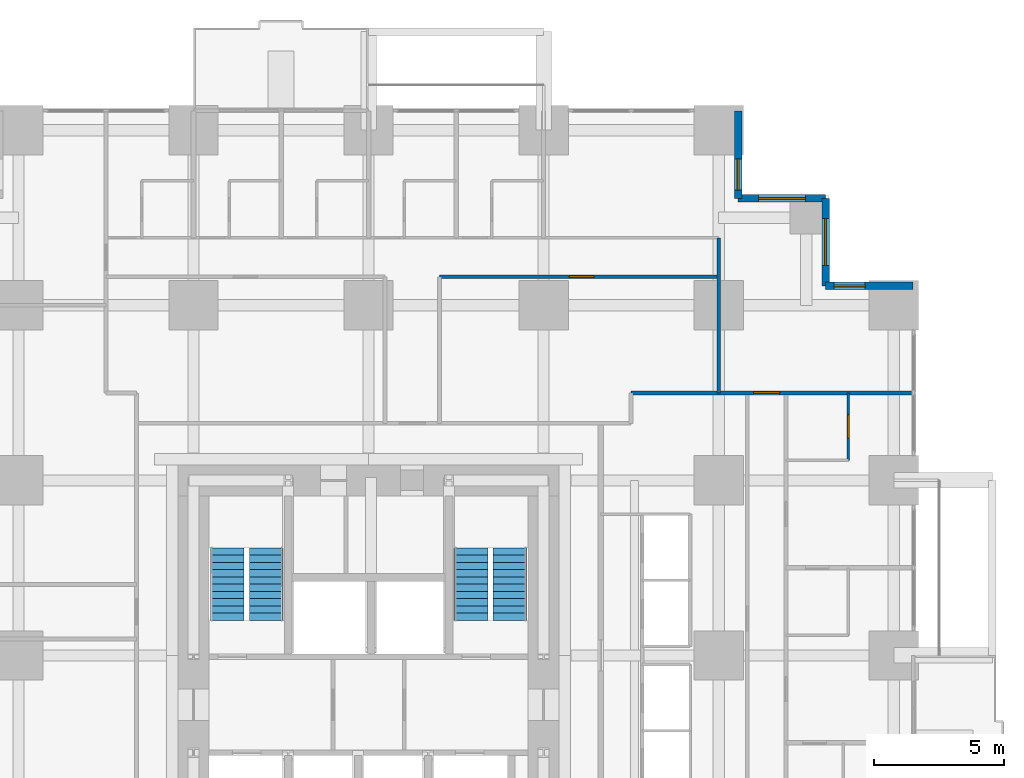
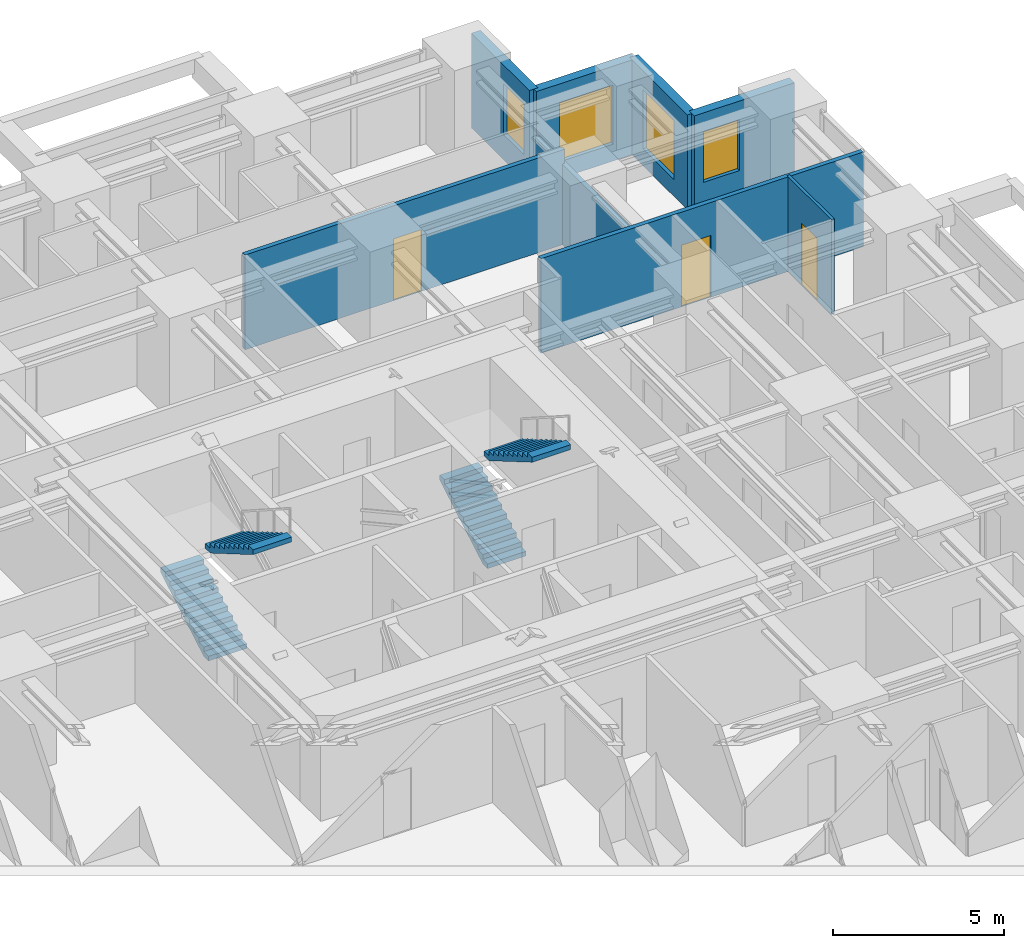
# One storey, part 13 of 14: 8 walls, 4 stair flights, 4 windows, 3 doors, 7 openings, 2 elements without a shape of their own.
"""IFC4 building model written with IfcOpenShell, lengths in metres."""

from ifc_helpers import new_model, si_unit, direction, frame, frame_2d, origin, place, context, subcontext, project, spatial, polyline, rectangle, outline, extrude, material, layer, layer_set, type_object, element, fill, aggregate, save


model = new_model("IFC4")

# Units and contexts
model_context = context("Model", 3, precision=1e-05, world=origin(), true_north=direction((0.0, 1.0)))
body_context = subcontext(model_context, "Body", "Model", "MODEL_VIEW")
ifc_project = project(units=[si_unit("LENGTHUNIT", "METRE"), si_unit("AREAUNIT", "SQUARE_METRE"), si_unit("VOLUMEUNIT", "CUBIC_METRE"), si_unit("PLANEANGLEUNIT", "RADIAN"), si_unit("MASSUNIT", "GRAM", prefix="KILO")], contexts=[model_context])

# Site, building, storey
site_placement = place(None, origin())
site = spatial("IfcSite", under=ifc_project, at=site_placement, CompositionType="ELEMENT")
building_placement = place(site_placement, origin())
building = spatial("IfcBuilding", under=site, at=building_placement, Name="Nyansa Garden Tower", CompositionType="ELEMENT")
storey_placement = place(building_placement, frame((0.0, 0.0, 39.60009765625)))
storey = spatial("IfcBuildingStorey", under=building, at=storey_placement, Name="L10", CompositionType="ELEMENT", Elevation=39.60009765625)

# Wall, opening, door
ifc_material_1 = material(Name="Blockwork, plastered both sides", Category="masonry")
ifc_layer_1 = layer(ifc_material_1, 0.14990234375)
ifc_layer_set_1 = layer_set([ifc_layer_1], Name="Partition PW150")
wall_type_1 = type_object("IfcWallType", Name="Partition PW150", PredefinedType="PARTITIONING", material=ifc_layer_set_1)
wall_1_placement = place(storey_placement, frame((22.987548828125, 34.85009765625, 0.0), z_axis=(0.0, 0.0, 1.0), x_axis=(1.0, 0.0, 0.0)))
wall_1 = element("IfcWall", 1, at=wall_1_placement, inside=storey, type_object=wall_type_1, Name="Partition", PredefinedType="PARTITIONING", context=body_context, shape_type="SweptSolid", body=[
    extrude(rectangle(XDim=10.762451171875, YDim=0.14990234375, at=frame_2d((5.38134765625, 0.0))), origin(), (0.0, 0.0, 1.0), 3.375),
])
opening_1_placement = place(wall_1_placement, frame((5.0, 0.0, 0.0)))
opening_1 = element("IfcOpeningElement", 2, at=opening_1_placement, cuts=wall_1, Name="Opening D01", PredefinedType="OPENING", context=body_context, shape_type="SweptSolid", body=[
    extrude(rectangle(XDim=0.949951171875, YDim=2.199951171875, at=frame_2d((0.47509765625, 1.10009765625))), frame((0.0, 0.0849609375, 0.0), z_axis=(0.0, -1.0, 0.0), x_axis=(1.0, 0.0, 0.0)), (0.0, 0.0, 1.0), 0.169921875),
])
ifc_material_2 = material(Name="Timber flush door, 30 minute fire resisting", Category="wood")
door_type_1 = type_object("IfcDoorType", Name="Bedroom door D01 950x2200", OperationType="SINGLE_SWING_LEFT", PredefinedType="DOOR", material=ifc_material_2)
door_1_placement = place(opening_1_placement, origin())
door_1 = element("IfcDoor", 3, at=door_1_placement, inside=storey, type_object=door_type_1, Name="Door L10-057", OperationType="SINGLE_SWING_LEFT", OverallHeight=2.199951171875, OverallWidth=0.949951171875, PredefinedType="DOOR", context=body_context, shape_type="SweptSolid", body=[
    extrude(rectangle(XDim=0.949951171875, YDim=2.199951171875, at=frame_2d((0.47509765625, 1.10009765625))), frame((0.0, 0.02490234375, 0.0), z_axis=(0.0, -1.0, 0.0), x_axis=(1.0, 0.0, 0.0)), (0.0, 0.0, 1.0), 0.050048828125),
])
fill(opening_1, door_1)

wall_2_placement = place(storey_placement, frame((30.375, 30.375, 0.0), z_axis=(0.0, 0.0, 1.0), x_axis=(1.0, 0.0, 0.0)))
wall_2 = element("IfcWall", 4, at=wall_2_placement, inside=storey, type_object=wall_type_1, Name="Partition", PredefinedType="PARTITIONING", context=body_context, shape_type="SweptSolid", body=[
    extrude(rectangle(XDim=10.85888671875, YDim=0.14990234375, at=frame_2d((5.429443359375, 0.0))), origin(), (0.0, 0.0, 1.0), 3.375),
])
opening_2_placement = place(wall_2_placement, frame((4.72509765625, 0.0, 0.0)))
opening_2 = element("IfcOpeningElement", 5, at=opening_2_placement, cuts=wall_2, Name="Opening D03", PredefinedType="OPENING", context=body_context, shape_type="SweptSolid", body=[
    extrude(rectangle(XDim=1.0, YDim=2.199951171875, at=frame_2d((0.5, 1.10009765625))), frame((0.0, 0.0849609375, 0.0), z_axis=(0.0, -1.0, 0.0), x_axis=(1.0, 0.0, 0.0)), (0.0, 0.0, 1.0), 0.169921875),
])
ifc_material_3 = material(Name="Timber flush door, 60 minute fire resisting", Category="wood")
door_type_2 = type_object("IfcDoorType", Name="Cluster entrance door D03 1000x2200", OperationType="SINGLE_SWING_LEFT", PredefinedType="DOOR", material=ifc_material_3)
door_2_placement = place(opening_2_placement, origin())
door_2 = element("IfcDoor", 6, at=door_2_placement, inside=storey, type_object=door_type_2, Name="Door L10-044", OperationType="SINGLE_SWING_LEFT", OverallHeight=2.199951171875, OverallWidth=1.0, PredefinedType="DOOR", context=body_context, shape_type="SweptSolid", body=[
    extrude(rectangle(XDim=1.0, YDim=2.199951171875, at=frame_2d((0.5, 1.10009765625))), frame((0.0, 0.02490234375, 0.0), z_axis=(0.0, -1.0, 0.0), x_axis=(1.0, 0.0, 0.0)), (0.0, 0.0, 1.0), 0.050048828125),
])
fill(opening_2, door_2)

# Wall
wall_3_placement = place(storey_placement, frame((33.75, 30.375, 0.0), z_axis=(0.0, 0.0, 1.0), x_axis=(0.0, 1.0, 0.0)))
element("IfcWall", 7, at=wall_3_placement, inside=storey, type_object=wall_type_1, Name="Partition", PredefinedType="PARTITIONING", context=body_context, shape_type="SweptSolid", body=[
    extrude(rectangle(XDim=5.97509765625, YDim=0.14990234375, at=frame_2d((2.987548828125, 0.0))), origin(), (0.0, 0.0, 1.0), 2.876953125),
])

# Wall, opening, window
ifc_material_4 = material(Name="Turquoise glazed tile on concrete blockwork", Category="masonry")
ifc_layer_2 = layer(ifc_material_4, 0.300048828125)
ifc_layer_set_2 = layer_set([ifc_layer_2], Name="Tiled corner wall TW300")
wall_type_2 = type_object("IfcWallType", Name="Tiled corner wall TW300", PredefinedType="SOLIDWALL", material=ifc_layer_set_2)
wall_4_placement = place(storey_placement, frame((41.25, 34.5, 0.0), z_axis=(0.0, 0.0, 1.0), x_axis=(-1.0, 0.0, 0.0)))
wall_4 = element("IfcWall", 8, at=wall_4_placement, inside=storey, type_object=wall_type_2, Name="Tiled corner wall L10", PredefinedType="SOLIDWALL", context=body_context, shape_type="SweptSolid", body=[
    extrude(rectangle(XDim=3.375, YDim=0.300048828125, at=frame_2d((1.6875, 0.0))), origin(), (0.0, 0.0, 1.0), 3.375),
])
opening_3_placement = place(wall_4_placement, frame((1.857421875, 0.0, 0.89990234375)))
opening_3 = element("IfcOpeningElement", 9, at=opening_3_placement, cuts=wall_4, Name="Opening W4", PredefinedType="OPENING", context=body_context, shape_type="SweptSolid", body=[
    extrude(rectangle(XDim=1.199951171875, YDim=1.800048828125, at=frame_2d((0.60009765625, 0.89990234375))), frame((0.0, 0.159912109375, 0.0), z_axis=(0.0, -1.0, 0.0), x_axis=(1.0, 0.0, 0.0)), (0.0, 0.0, 1.0), 0.320068359375),
])
ifc_material_5 = material(Name="Black aluminium frame, dark tinted double glazing", Category="aluminium")
window_type_1 = type_object("IfcWindowType", Name="Window W4 1200x1800", PartitioningType="SINGLE_PANEL", PredefinedType="WINDOW", material=ifc_material_5)
window_1_placement = place(opening_3_placement, origin())
window_1 = element("IfcWindow", 10, at=window_1_placement, inside=storey, type_object=window_type_1, Name="Corner window L10", OverallHeight=1.800048828125, OverallWidth=1.199951171875, PartitioningType="SINGLE_PANEL", PredefinedType="WINDOW", context=body_context, shape_type="SweptSolid", body=[
    extrude(rectangle(XDim=1.199951171875, YDim=1.800048828125, at=frame_2d((0.60009765625, 0.89990234375))), frame((0.0, 0.030029296875, 0.0), z_axis=(0.0, -1.0, 0.0), x_axis=(1.0, 0.0, 0.0)), (0.0, 0.0, 1.0), 0.06005859375),
])
fill(opening_3, window_1)

wall_5_placement = place(storey_placement, frame((37.875, 34.5, 0.0), z_axis=(0.0, 0.0, 1.0), x_axis=(0.0, 1.0, 0.0)))
wall_5 = element("IfcWall", 11, at=wall_5_placement, inside=storey, type_object=wall_type_2, Name="Tiled corner wall L10", PredefinedType="SOLIDWALL", context=body_context, shape_type="SweptSolid", body=[
    extrude(rectangle(XDim=3.375, YDim=0.300048828125, at=frame_2d((1.6875, 0.0))), origin(), (0.0, 0.0, 1.0), 3.375),
])
opening_4_placement = place(wall_5_placement, frame((0.78759765625, 0.0, 0.60009765625)))
opening_4 = element("IfcOpeningElement", 12, at=opening_4_placement, cuts=wall_5, Name="Opening W2", PredefinedType="OPENING", context=body_context, shape_type="SweptSolid", body=[
    extrude(rectangle(XDim=1.800048828125, YDim=2.10009765625, at=frame_2d((0.89990234375, 1.050048828125))), frame((0.0, 0.159912109375, 0.0), z_axis=(0.0, -1.0, 0.0), x_axis=(1.0, 0.0, 0.0)), (0.0, 0.0, 1.0), 0.320068359375),
])
ifc_material_6 = material(Name="Black aluminium frame, dark tinted double glazing", Category="aluminium")
window_type_2 = type_object("IfcWindowType", Name="Window W2 1800x2100", PartitioningType="SINGLE_PANEL", PredefinedType="WINDOW", material=ifc_material_6)
window_2_placement = place(opening_4_placement, origin())
window_2 = element("IfcWindow", 13, at=window_2_placement, inside=storey, type_object=window_type_2, Name="Corner window L10", OverallHeight=2.10009765625, OverallWidth=1.800048828125, PartitioningType="SINGLE_PANEL", PredefinedType="WINDOW", context=body_context, shape_type="SweptSolid", body=[
    extrude(rectangle(XDim=1.800048828125, YDim=2.10009765625, at=frame_2d((0.89990234375, 1.050048828125))), frame((0.0, 0.030029296875, 0.0), z_axis=(0.0, -1.0, 0.0), x_axis=(1.0, 0.0, 0.0)), (0.0, 0.0, 1.0), 0.06005859375),
])
fill(opening_4, window_2)

wall_6_placement = place(storey_placement, frame((37.875, 37.875, 0.0), z_axis=(0.0, 0.0, 1.0), x_axis=(-1.0, 0.0, 0.0)))
wall_6 = element("IfcWall", 14, at=wall_6_placement, inside=storey, type_object=wall_type_2, Name="Tiled corner wall L10", PredefinedType="SOLIDWALL", context=body_context, shape_type="SweptSolid", body=[
    extrude(rectangle(XDim=3.375, YDim=0.300048828125, at=frame_2d((1.6875, 0.0))), origin(), (0.0, 0.0, 1.0), 3.375),
])
opening_5_placement = place(wall_6_placement, frame((0.78759765625, 0.0, 0.60009765625)))
opening_5 = element("IfcOpeningElement", 15, at=opening_5_placement, cuts=wall_6, Name="Opening W2", PredefinedType="OPENING", context=body_context, shape_type="SweptSolid", body=[
    extrude(rectangle(XDim=1.800048828125, YDim=2.10009765625, at=frame_2d((0.89990234375, 1.050048828125))), frame((0.0, 0.159912109375, 0.0), z_axis=(0.0, -1.0, 0.0), x_axis=(1.0, 0.0, 0.0)), (0.0, 0.0, 1.0), 0.320068359375),
])
window_3_placement = place(opening_5_placement, origin())
window_3 = element("IfcWindow", 16, at=window_3_placement, inside=storey, type_object=window_type_2, Name="Corner window L10", OverallHeight=2.10009765625, OverallWidth=1.800048828125, PartitioningType="SINGLE_PANEL", PredefinedType="WINDOW", context=body_context, shape_type="SweptSolid", body=[
    extrude(rectangle(XDim=1.800048828125, YDim=2.10009765625, at=frame_2d((0.89990234375, 1.050048828125))), frame((0.0, 0.030029296875, 0.0), z_axis=(0.0, -1.0, 0.0), x_axis=(1.0, 0.0, 0.0)), (0.0, 0.0, 1.0), 0.06005859375),
])
fill(opening_5, window_3)

wall_7_placement = place(storey_placement, frame((34.5, 37.875, 0.0), z_axis=(0.0, 0.0, 1.0), x_axis=(0.0, 1.0, 0.0)))
wall_7 = element("IfcWall", 17, at=wall_7_placement, inside=storey, type_object=wall_type_2, Name="Tiled corner wall L10", PredefinedType="SOLIDWALL", context=body_context, shape_type="SweptSolid", body=[
    extrude(rectangle(XDim=3.375, YDim=0.300048828125, at=frame_2d((1.6875, 0.0))), origin(), (0.0, 0.0, 1.0), 3.375),
])
opening_6_placement = place(wall_7_placement, frame((0.3173828125, 0.0, 0.89990234375)))
opening_6 = element("IfcOpeningElement", 18, at=opening_6_placement, cuts=wall_7, Name="Opening W4", PredefinedType="OPENING", context=body_context, shape_type="SweptSolid", body=[
    extrude(rectangle(XDim=1.199951171875, YDim=1.800048828125, at=frame_2d((0.60009765625, 0.89990234375))), frame((0.0, 0.159912109375, 0.0), z_axis=(0.0, -1.0, 0.0), x_axis=(1.0, 0.0, 0.0)), (0.0, 0.0, 1.0), 0.320068359375),
])
window_4_placement = place(opening_6_placement, origin())
window_4 = element("IfcWindow", 19, at=window_4_placement, inside=storey, type_object=window_type_1, Name="Corner window L10", OverallHeight=1.800048828125, OverallWidth=1.199951171875, PartitioningType="SINGLE_PANEL", PredefinedType="WINDOW", context=body_context, shape_type="SweptSolid", body=[
    extrude(rectangle(XDim=1.199951171875, YDim=1.800048828125, at=frame_2d((0.60009765625, 0.89990234375))), frame((0.0, 0.030029296875, 0.0), z_axis=(0.0, -1.0, 0.0), x_axis=(1.0, 0.0, 0.0)), (0.0, 0.0, 1.0), 0.06005859375),
])
fill(opening_6, window_4)

# Wall, opening, door
ifc_material_7 = material(Name="Moisture resistant board on steel studs, tiled", Category="steel")
ifc_layer_3 = layer(ifc_material_7, 0.10009765625)
ifc_layer_set_3 = layer_set([ifc_layer_3], Name="Wet wall PW100")
wall_type_3 = type_object("IfcWallType", Name="Wet wall PW100", PredefinedType="PARTITIONING", material=ifc_layer_set_3)
wall_8_placement = place(storey_placement, frame((38.75, 27.77490234375, 0.0), z_axis=(0.0, 0.0, 1.0), x_axis=(0.0, 1.0, 0.0)))
wall_8 = element("IfcWall", 20, at=wall_8_placement, inside=storey, type_object=wall_type_3, Name="Wet wall", PredefinedType="PARTITIONING", context=body_context, shape_type="SweptSolid", body=[
    extrude(rectangle(XDim=2.60009765625, YDim=0.10009765625, at=frame_2d((1.300048828125, 0.0))), origin(), (0.0, 0.0, 1.0), 3.375),
])
opening_7_placement = place(wall_8_placement, frame((0.85009765625, 0.0, 0.0)))
opening_7 = element("IfcOpeningElement", 21, at=opening_7_placement, cuts=wall_8, Name="Opening D02", PredefinedType="OPENING", context=body_context, shape_type="SweptSolid", body=[
    extrude(rectangle(XDim=0.89990234375, YDim=2.199951171875, at=frame_2d((0.449951171875, 1.10009765625))), frame((0.0, 0.06005859375, 0.0), z_axis=(0.0, -1.0, 0.0), x_axis=(1.0, 0.0, 0.0)), (0.0, 0.0, 1.0), 0.1201171875),
])
ifc_material_8 = material(Name="Timber flush door", Category="wood")
door_type_3 = type_object("IfcDoorType", Name="En-suite door D02 900x2200", OperationType="SINGLE_SWING_RIGHT", PredefinedType="DOOR", material=ifc_material_8)
door_3_placement = place(opening_7_placement, origin())
door_3 = element("IfcDoor", 22, at=door_3_placement, inside=storey, type_object=door_type_3, Name="Door L10-036", OperationType="SINGLE_SWING_RIGHT", OverallHeight=2.199951171875, OverallWidth=0.89990234375, PredefinedType="DOOR", context=body_context, shape_type="SweptSolid", body=[
    extrude(rectangle(XDim=0.89990234375, YDim=2.199951171875, at=frame_2d((0.449951171875, 1.10009765625))), frame((0.0, 0.02490234375, 0.0), z_axis=(0.0, -1.0, 0.0), x_axis=(1.0, 0.0, 0.0)), (0.0, 0.0, 1.0), 0.050048828125),
])
fill(opening_7, door_3)

# Stair, stair flights
ifc_material_9 = material(Name="Precast concrete C40/50", Category="concrete")
stair_type_1 = type_object("IfcStairType", Name="Stair S1 164x280", PredefinedType="HALF_TURN_STAIR", material=ifc_material_9)
stair_1_placement = place(storey_placement, origin())
stair_1 = element("IfcStair", 23, at=stair_1_placement, inside=storey, type_object=stair_type_1, Name="Stair S1 L10", PredefinedType="HALF_TURN_STAIR")
ifc_material_10 = material(Name="Precast concrete C40/50", Category="concrete")
stair_flight_type_1 = type_object("IfcStairFlightType", Name="Stair flight S1 164x280x11", PredefinedType="STRAIGHT", material=ifc_material_10)
stair_flight_1_placement = place(storey_placement, frame((14.800048828125, 21.60009765625, 0.0), z_axis=(0.0, 0.0, 1.0), x_axis=(0.0, 1.0, 0.0)))
stair_flight_1 = element("IfcStairFlight", 24, at=stair_flight_1_placement, type_object=stair_flight_type_1, Name="S1 flight 1", NumberOfRisers=11, NumberOfTreads=10, PredefinedType="STRAIGHT", RiserHeight=0.163636364, TreadLength=0.28, context=body_context, shape_type="SweptSolid", body=[
    extrude(outline(polyline([(0.0, 0.0), (0.0, 0.16357421875), (0.280029296875, 0.16357421875), (0.280029296875, 0.327392578125), (0.56005859375, 0.327392578125), (0.56005859375, 0.490966796875), (0.840087890625, 0.490966796875), (0.840087890625, 0.654541015625), (1.1201171875, 0.654541015625), (1.1201171875, 0.818115234375), (1.39990234375, 0.818115234375), (1.39990234375, 0.98193359375), (1.679931640625, 0.98193359375), (1.679931640625, 1.1455078125), (1.9599609375, 1.1455078125), (1.9599609375, 1.30908203125), (2.239990234375, 1.30908203125), (2.239990234375, 1.47265625), (2.52001953125, 1.47265625), (2.52001953125, 1.636474609375), (2.800048828125, 1.636474609375), (2.800048828125, 1.800048828125), (2.800048828125, 1.462646484375), (0.297119140625, 0.0), (0.0, 0.0)])), frame((0.0, 0.64990234375, 0.0), z_axis=(0.0, -1.0, 0.0), x_axis=(1.0, 0.0, 0.0)), (0.0, 0.0, 1.0), 1.300048828125),
])
stair_flight_2_placement = place(storey_placement, frame((16.300048828125, 24.39990234375, 1.7998046875), z_axis=(0.0, 0.0, 1.0), x_axis=(0.0, -1.0, 0.0)))
stair_flight_2 = element("IfcStairFlight", 25, at=stair_flight_2_placement, type_object=stair_flight_type_1, Name="S1 flight 2", NumberOfRisers=11, NumberOfTreads=10, PredefinedType="STRAIGHT", RiserHeight=0.163636364, TreadLength=0.28, context=body_context, shape_type="SweptSolid", body=[
    extrude(outline(polyline([(0.0, 0.0), (0.0, 0.16357421875), (0.280029296875, 0.16357421875), (0.280029296875, 0.327392578125), (0.56005859375, 0.327392578125), (0.56005859375, 0.490966796875), (0.840087890625, 0.490966796875), (0.840087890625, 0.654541015625), (1.1201171875, 0.654541015625), (1.1201171875, 0.818115234375), (1.39990234375, 0.818115234375), (1.39990234375, 0.98193359375), (1.679931640625, 0.98193359375), (1.679931640625, 1.1455078125), (1.9599609375, 1.1455078125), (1.9599609375, 1.30908203125), (2.239990234375, 1.30908203125), (2.239990234375, 1.47265625), (2.52001953125, 1.47265625), (2.52001953125, 1.636474609375), (2.800048828125, 1.636474609375), (2.800048828125, 1.800048828125), (2.800048828125, 1.462646484375), (0.297119140625, 0.0), (0.0, 0.0)])), frame((0.0, 0.64990234375, 0.0), z_axis=(0.0, -1.0, 0.0), x_axis=(1.0, 0.0, 0.0)), (0.0, 0.0, 1.0), 1.300048828125),
])
aggregate(stair_1, [stair_flight_1, stair_flight_2])

ifc_material_11 = material(Name="Precast concrete C40/50", Category="concrete")
stair_type_2 = type_object("IfcStairType", Name="Stair S2 164x280", PredefinedType="HALF_TURN_STAIR", material=ifc_material_11)
stair_2_placement = place(storey_placement, origin())
stair_2 = element("IfcStair", 26, at=stair_2_placement, inside=storey, type_object=stair_type_2, Name="Stair S2 L10", PredefinedType="HALF_TURN_STAIR")
ifc_material_12 = material(Name="Precast concrete C40/50", Category="concrete")
stair_flight_type_2 = type_object("IfcStairFlightType", Name="Stair flight S2 164x280x11", PredefinedType="STRAIGHT", material=ifc_material_12)
stair_flight_3_placement = place(storey_placement, frame((24.199951171875, 21.60009765625, 0.0), z_axis=(0.0, 0.0, 1.0), x_axis=(0.0, 1.0, 0.0)))
stair_flight_3 = element("IfcStairFlight", 27, at=stair_flight_3_placement, type_object=stair_flight_type_2, Name="S2 flight 1", NumberOfRisers=11, NumberOfTreads=10, PredefinedType="STRAIGHT", RiserHeight=0.163636364, TreadLength=0.28, context=body_context, shape_type="SweptSolid", body=[
    extrude(outline(polyline([(0.0, 0.0), (0.0, 0.16357421875), (0.280029296875, 0.16357421875), (0.280029296875, 0.327392578125), (0.56005859375, 0.327392578125), (0.56005859375, 0.490966796875), (0.840087890625, 0.490966796875), (0.840087890625, 0.654541015625), (1.1201171875, 0.654541015625), (1.1201171875, 0.818115234375), (1.39990234375, 0.818115234375), (1.39990234375, 0.98193359375), (1.679931640625, 0.98193359375), (1.679931640625, 1.1455078125), (1.9599609375, 1.1455078125), (1.9599609375, 1.30908203125), (2.239990234375, 1.30908203125), (2.239990234375, 1.47265625), (2.52001953125, 1.47265625), (2.52001953125, 1.636474609375), (2.800048828125, 1.636474609375), (2.800048828125, 1.800048828125), (2.800048828125, 1.462646484375), (0.297119140625, 0.0), (0.0, 0.0)])), frame((0.0, 0.64990234375, 0.0), z_axis=(0.0, -1.0, 0.0), x_axis=(1.0, 0.0, 0.0)), (0.0, 0.0, 1.0), 1.300048828125),
])
stair_flight_4_placement = place(storey_placement, frame((25.699951171875, 24.39990234375, 1.7998046875), z_axis=(0.0, 0.0, 1.0), x_axis=(0.0, -1.0, 0.0)))
stair_flight_4 = element("IfcStairFlight", 28, at=stair_flight_4_placement, type_object=stair_flight_type_2, Name="S2 flight 2", NumberOfRisers=11, NumberOfTreads=10, PredefinedType="STRAIGHT", RiserHeight=0.163636364, TreadLength=0.28, context=body_context, shape_type="SweptSolid", body=[
    extrude(outline(polyline([(0.0, 0.0), (0.0, 0.16357421875), (0.280029296875, 0.16357421875), (0.280029296875, 0.327392578125), (0.56005859375, 0.327392578125), (0.56005859375, 0.490966796875), (0.840087890625, 0.490966796875), (0.840087890625, 0.654541015625), (1.1201171875, 0.654541015625), (1.1201171875, 0.818115234375), (1.39990234375, 0.818115234375), (1.39990234375, 0.98193359375), (1.679931640625, 0.98193359375), (1.679931640625, 1.1455078125), (1.9599609375, 1.1455078125), (1.9599609375, 1.30908203125), (2.239990234375, 1.30908203125), (2.239990234375, 1.47265625), (2.52001953125, 1.47265625), (2.52001953125, 1.636474609375), (2.800048828125, 1.636474609375), (2.800048828125, 1.800048828125), (2.800048828125, 1.462646484375), (0.297119140625, 0.0), (0.0, 0.0)])), frame((0.0, 0.64990234375, 0.0), z_axis=(0.0, -1.0, 0.0), x_axis=(1.0, 0.0, 0.0)), (0.0, 0.0, 1.0), 1.300048828125),
])
aggregate(stair_2, [stair_flight_3, stair_flight_4])

save(model, "model.ifc")
